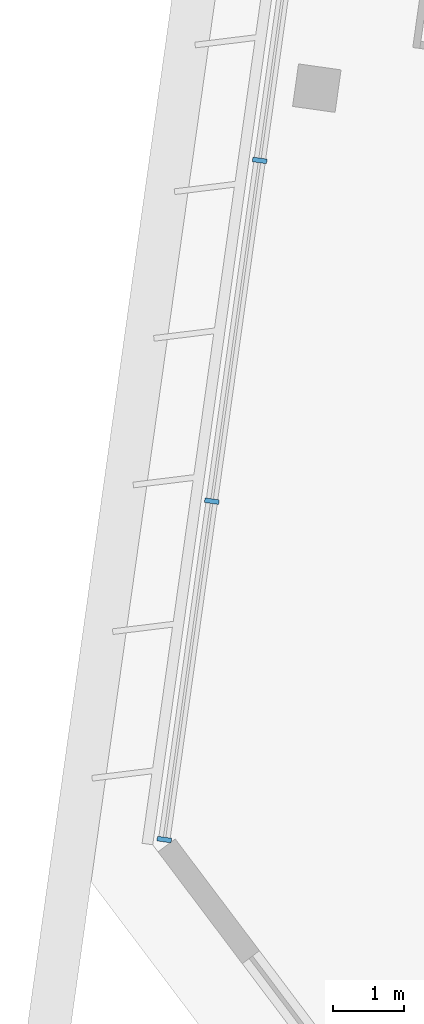
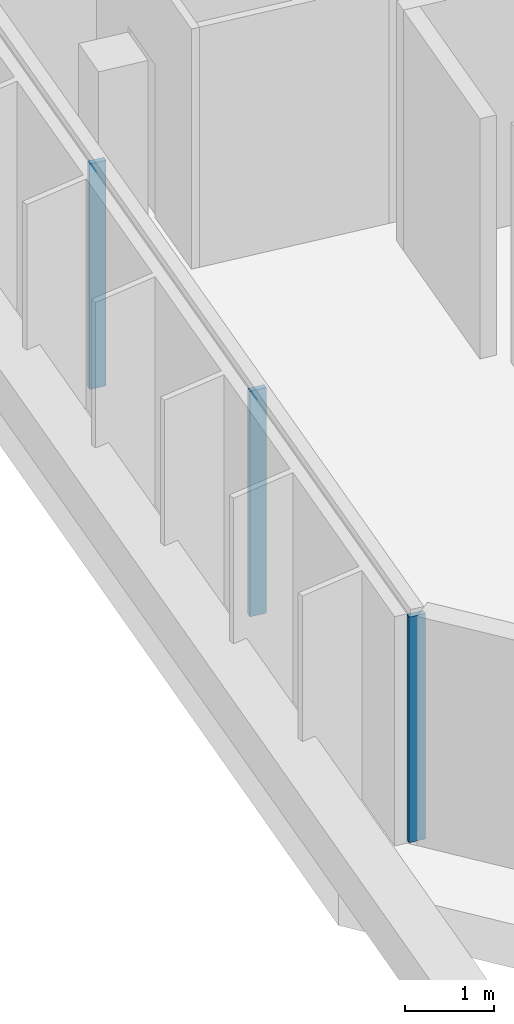
# One storey, part 2 of 29: 3 members, 1 element without a shape of its own.
"""IFC4 building model written with IfcOpenShell, lengths in metres."""

from ifc_helpers import new_model, si_unit, direction, frame, origin, origin_2d, place, context, subcontext, project, spatial, rectangle, extrude, material, material_profile, profile_set, type_object, element, aggregate, save


model = new_model("IFC4")

# Units and contexts
model_context = context("Model", 3, precision=1e-05, world=origin(), true_north=direction((0.0, 1.0)))
body_context = subcontext(model_context, "Body", "Model", "MODEL_VIEW")
ifc_project = project(units=[si_unit("LENGTHUNIT", "METRE"), si_unit("AREAUNIT", "SQUARE_METRE"), si_unit("VOLUMEUNIT", "CUBIC_METRE"), si_unit("PLANEANGLEUNIT", "RADIAN"), si_unit("MASSUNIT", "GRAM", prefix="KILO")], contexts=[model_context])

# Site, building, storey
site_placement = place(None, origin())
site = spatial("IfcSite", under=ifc_project, at=site_placement, CompositionType="ELEMENT")
building_placement = place(site_placement, origin())
building = spatial("IfcBuilding", under=site, at=building_placement, Name="Mirante Cascada Hotel Towers", CompositionType="ELEMENT")
storey_placement = place(building_placement, frame((0.0, 0.0, 206.8)))
storey = spatial("IfcBuildingStorey", under=building, at=storey_placement, Name="L49", CompositionType="ELEMENT", Elevation=206.8)

# Curtain wall, members
ifc_material_1 = material(Name="Aluminium mullion and transom frame with clear laminated glass", Category="aluminium")
curtain_wall_type = type_object("IfcCurtainWallType", Name="End ribbon curtain wall ECW2", PredefinedType="NOTDEFINED", material=ifc_material_1)
curtain_wall_placement = place(storey_placement, origin())
curtain_wall = element("IfcCurtainWall", 1, at=curtain_wall_placement, inside=storey, type_object=curtain_wall_type, Name="Outer end wall T1 L49", PredefinedType="NOTDEFINED")
ifc_material_2 = material(Name="Anodised aluminium extrusion", Category="aluminium")
ifc_material_profile = material_profile(ifc_material_2, rectangle(XDim=0.2, YDim=0.065, at=origin_2d()), Name="ECW2 MULLION 65x200")
ifc_profile_set = profile_set([ifc_material_profile], Name="Anodised aluminium extrusion")
member_type = type_object("IfcMemberType", Name="ECW2 mullion 65x200", PredefinedType="MULLION", material=ifc_profile_set)
member_1_placement = place(storey_placement, frame((-85.3308, -8.7707, 0.1), z_axis=(0.0, 0.0, 1.0), x_axis=(-0.9902681, 0.1391731, 0.0)))
member_1 = element("IfcMember", 2, at=member_1_placement, type_object=member_type, Name="ECW2 mullion 1", PredefinedType="MULLION", context=body_context, shape_type="SweptSolid", body=[
    extrude(rectangle(XDim=0.2, YDim=0.065, at=origin_2d()), origin(), (0.0, 0.0, 1.0), 3.1),
])
member_2_placement = place(storey_placement, frame((-84.6655, -4.0371, 0.1), z_axis=(0.0, 0.0, 1.0), x_axis=(-0.9902681, 0.1391731, 0.0)))
member_2 = element("IfcMember", 3, at=member_2_placement, type_object=member_type, Name="ECW2 mullion 2", PredefinedType="MULLION", context=body_context, shape_type="SweptSolid", body=[
    extrude(rectangle(XDim=0.2, YDim=0.065, at=origin_2d()), origin(), (0.0, 0.0, 1.0), 3.1),
])
member_3_placement = place(storey_placement, frame((-83.9957, 0.7287, 0.1), z_axis=(0.0, 0.0, 1.0), x_axis=(-0.9902681, 0.1391731, 0.0)))
member_3 = element("IfcMember", 4, at=member_3_placement, type_object=member_type, Name="ECW2 mullion 3", PredefinedType="MULLION", context=body_context, shape_type="SweptSolid", body=[
    extrude(rectangle(XDim=0.2, YDim=0.065, at=origin_2d()), origin(), (0.0, 0.0, 1.0), 3.1),
])
aggregate(curtain_wall, [member_1, member_2, member_3])

save(model, "model.ifc")
